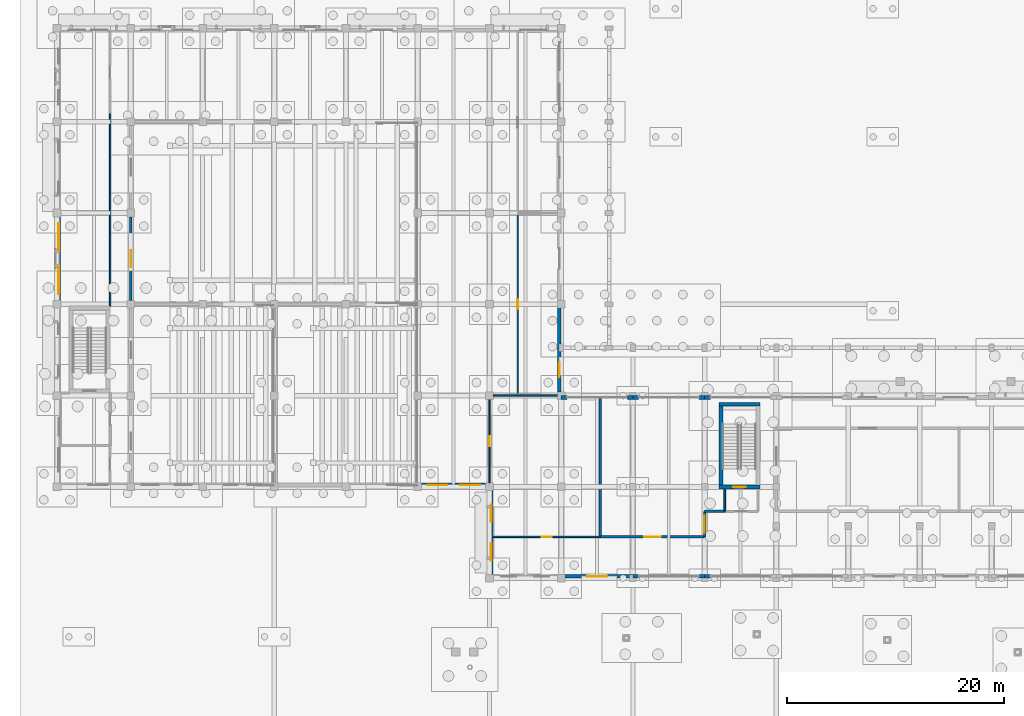
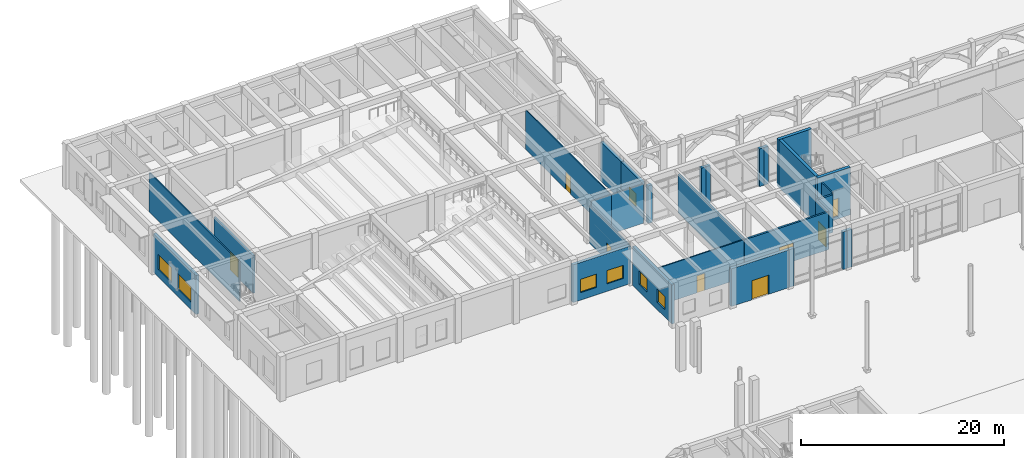
# One storey, part 55 of 82: 29 walls, 8 doors, 7 windows, 15 openings.
"""IFC4 building model written with IfcOpenShell, lengths in metres."""

import ifcopenshell
import ifcopenshell.guid

model = None  # the IFC model being written
_history = None  # IfcOwnerHistory: only IFC2X3 demands one
_inside = {}  # id of a spatial element -> (the spatial element, [elements in it])
_under = {}  # id of a project, library or spatial element -> (it, [spatial elements below it])
_declared = {}  # id of a project -> (the project, [libraries it declares])
_typed = {}  # id of a type object -> (the type object, [elements of that type])
_made_of = {}  # id of a material, layer set ... -> (it, [elements and type objects made of it])


def new_model(schema):
    """Start an empty IFC model of exactly this schema.

    Asked for "IFC4X3", IfcOpenShell would pick the latest addendum, in which some entities
    have other attributes; the version numbers below select the first issue.
    IFC2X3 requires an IfcOwnerHistory on every rooted entity: one is made here for all.
    """
    global model, _history
    if schema == "IFC4X3":
        model = ifcopenshell.file(schema_version=(4, 3, 0, 0))
    else:
        model = ifcopenshell.file(schema=schema)
    _inside.clear()
    _under.clear()
    _declared.clear()
    _typed.clear()
    _made_of.clear()
    _history = None
    if model.schema == "IFC2X3":
        org = make("IfcOrganization", Name="unknown")
        user = make(
            "IfcPersonAndOrganization",
            ThePerson=make("IfcPerson", FamilyName="unknown"),
            TheOrganization=org,
        )
        app = make(
            "IfcApplication",
            ApplicationDeveloper=org,
            Version="unknown",
            ApplicationFullName="unknown",
            ApplicationIdentifier="unknown",
        )
        _history = make(
            "IfcOwnerHistory",
            OwningUser=user,
            OwningApplication=app,
            ChangeAction="ADDED",
            CreationDate=0,
        )
    return model


def make(cls, **values):
    """One entity of the class cls with the attributes given. An attribute that is None is left unset."""
    return model.create_entity(
        cls, **{name: value for name, value in values.items() if value is not None}
    )


def rooted(cls, **values):
    """An entity with a GlobalId (a new one), such as an element, a storey or a relation."""
    return make(cls, GlobalId=ifcopenshell.guid.new(), OwnerHistory=_history, **values)


def si_unit(unit_type, name, prefix=None):
    """IfcSIUnit, for example si_unit("LENGTHUNIT", "METRE", prefix="MILLI")."""
    return make("IfcSIUnit", UnitType=unit_type, Prefix=prefix, Name=name)


def assignment(units):
    """IfcUnitAssignment: the units of a project."""
    return None if units is None else make("IfcUnitAssignment", Units=units)


def point(xyz):
    """IfcCartesianPoint."""
    return None if xyz is None else make("IfcCartesianPoint", Coordinates=xyz)


def direction(xyz):
    """IfcDirection."""
    return None if xyz is None else make("IfcDirection", DirectionRatios=xyz)


def frame(location, z_axis=None, x_axis=None):
    """IfcAxis2Placement3D, a coordinate frame: its origin and axes. An axis left out is left unset."""
    return make(
        "IfcAxis2Placement3D",
        Location=point(location),
        Axis=direction(z_axis),
        RefDirection=direction(x_axis),
    )


def frame_2d(location, x_axis=None):
    """IfcAxis2Placement2D, a coordinate frame in the plane: its origin and x axis."""
    return make(
        "IfcAxis2Placement2D", Location=point(location), RefDirection=direction(x_axis)
    )


def origin():
    """The frame at (0, 0, 0) with its axes left unset."""
    return frame((0.0, 0.0, 0.0))


def place(relative_to, where):
    """IfcLocalPlacement: puts the frame where relative to a parent placement (None: the world)."""
    return make(
        "IfcLocalPlacement", PlacementRelTo=relative_to, RelativePlacement=where
    )


def context(
    kind, dimensions, precision=None, world=None, true_north=None, identifier=None
):
    """IfcGeometricRepresentationContext, for example the 3D "Model" context."""
    return make(
        "IfcGeometricRepresentationContext",
        ContextIdentifier=identifier,
        ContextType=kind,
        CoordinateSpaceDimension=dimensions,
        Precision=precision,
        WorldCoordinateSystem=world,
        TrueNorth=true_north,
    )


def subcontext(parent, identifier, kind, view, scale=None):
    """IfcGeometricRepresentationSubContext, for example "Body" below "Model"."""
    return make(
        "IfcGeometricRepresentationSubContext",
        ContextIdentifier=identifier,
        ContextType=kind,
        ParentContext=parent,
        TargetScale=scale,
        TargetView=view,
    )


def project(units=None, contexts=None):
    """IfcProject with its units and contexts."""
    return rooted(
        "IfcProject",
        Name="project",
        RepresentationContexts=contexts,
        UnitsInContext=assignment(units),
    )


def spatial(cls, under=None, at=None, **own):
    """A site, building, storey or space (cls), placed at a placement, below another one or the project."""
    s = rooted(cls, ObjectPlacement=at, **own)
    if under is not None:
        _under.setdefault(under.id(), (under, []))[1].append(s)
    return s


def profile(cls, at=None, kind="AREA", **sizes):
    """A parametric profile (cls). Its sizes go by their IFC names, for example OverallWidth=200.0."""
    return make(cls, ProfileType=kind, Position=at, **sizes)


def rectangle(**sizes):
    """IfcRectangleProfileDef."""
    return profile("IfcRectangleProfileDef", **sizes)


def extrude(swept, where, along, depth):
    """IfcExtrudedAreaSolid: the profile swept, set in the frame where, extruded along a direction by depth."""
    return make(
        "IfcExtrudedAreaSolid",
        SweptArea=swept,
        Position=where,
        ExtrudedDirection=direction(along),
        Depth=depth,
    )


def shape(context_of_items, identifier, shape_type, items):
    """IfcShapeRepresentation: the items that make up one representation, for example the "Body"."""
    return make(
        "IfcShapeRepresentation",
        ContextOfItems=context_of_items,
        RepresentationIdentifier=identifier,
        RepresentationType=shape_type,
        Items=items,
    )


def material(Name=None, Category=None):
    """IfcMaterial."""
    return make("IfcMaterial", Name=Name, Category=Category)


def layer(
    of_material, thickness, ventilated=None, Name=None, Category=None, Priority=None
):
    """IfcMaterialLayer: one layer of a wall or slab, of a material (None: an air gap)."""
    return make(
        "IfcMaterialLayer",
        Material=of_material,
        LayerThickness=thickness,
        IsVentilated=ventilated,
        Name=Name,
        Category=Category,
        Priority=Priority,
    )


def layer_set(layers, Name=None):
    """IfcMaterialLayerSet."""
    return make("IfcMaterialLayerSet", MaterialLayers=layers, LayerSetName=Name)


def made_of(thing, what):
    """Note that an element or type object is made of a material, layer set ...; save() writes the relation."""
    if what is not None:
        _made_of.setdefault(what.id(), (what, []))[1].append(thing)
    return thing


def type_object(cls, material=None, **own):
    """A type object (cls), such as IfcWallType, which elements share."""
    return made_of(rooted(cls, **own), material)


def element(
    cls,
    number,
    at=None,
    inside=None,
    cuts=None,
    type_object=None,
    material=None,
    context=None,
    identifier="Body",
    shape_type=None,
    held_by="IfcProductDefinitionShape",
    body=None,
    shapes=None,
    **own,
):
    """One element of the class cls, such as IfcWall. Its Tag is "e" and its number.

    at: its placement. inside: the storey or other place that contains it. cuts: it is an
    opening in that element (IfcRelVoidsElement). A single representation is given by context,
    identifier, shape_type and body (its items); several are given by shapes. held_by: the class
    of the entity that holds the representations. save() writes the other relations.
    """
    e = rooted(cls, Tag="e%d" % number, ObjectPlacement=at, **own)
    if body is not None:
        shapes = [shape(context, identifier, shape_type, body)]
    if shapes is not None:
        e.Representation = make(held_by, Representations=shapes)
    if inside is not None:
        _inside.setdefault(inside.id(), (inside, []))[1].append(e)
    if cuts is not None:
        rooted(
            "IfcRelVoidsElement", RelatingBuildingElement=cuts, RelatedOpeningElement=e
        )
    if type_object is not None:
        _typed.setdefault(type_object.id(), (type_object, []))[1].append(e)
    return made_of(e, material)


def fill(opening, filler):
    """IfcRelFillsElement: the door or window that sits in an opening."""
    return rooted(
        "IfcRelFillsElement",
        RelatingOpeningElement=opening,
        RelatedBuildingElement=filler,
    )


def aggregate(whole, parts):
    """IfcRelAggregates: a whole, such as a stair, and the parts it consists of."""
    return rooted("IfcRelAggregates", RelatingObject=whole, RelatedObjects=parts)


def save(model, path):
    """Write the relations noted so far, then the file.

    IfcRelAggregates (storeys below a building ...), IfcRelContainedInSpatialStructure (elements
    in a storey), IfcRelDefinesByType, IfcRelAssociatesMaterial and IfcRelDeclares: one each for
    every whole, place, type object, material and project.
    """
    for whole, parts in _under.values():
        aggregate(whole, parts)
    for where, things in _inside.values():
        rooted(
            "IfcRelContainedInSpatialStructure",
            RelatedElements=things,
            RelatingStructure=where,
        )
    for kind, things in _typed.values():
        rooted("IfcRelDefinesByType", RelatedObjects=things, RelatingType=kind)
    for what, things in _made_of.values():
        rooted("IfcRelAssociatesMaterial", RelatedObjects=things, RelatingMaterial=what)
    for by, libraries in _declared.values():
        rooted("IfcRelDeclares", RelatingContext=by, RelatedDefinitions=libraries)
    model.write(path)


model = new_model("IFC4")

# Units and contexts
model_context = context("Model", 3, precision=1e-05, world=origin(), true_north=direction((0.0, 1.0)))
body_context = subcontext(model_context, "Body", "Model", "MODEL_VIEW")
ifc_project = project(units=[si_unit("LENGTHUNIT", "METRE"), si_unit("AREAUNIT", "SQUARE_METRE"), si_unit("VOLUMEUNIT", "CUBIC_METRE"), si_unit("PLANEANGLEUNIT", "RADIAN"), si_unit("MASSUNIT", "GRAM", prefix="KILO")], contexts=[model_context])

# Site, building, storey
site_placement = place(None, origin())
site = spatial("IfcSite", under=ifc_project, at=site_placement, CompositionType="ELEMENT")
building_placement = place(site_placement, origin())
building = spatial("IfcBuilding", under=site, at=building_placement, Name="Kolvaren Faculty of Natural Sciences", CompositionType="ELEMENT")
storey_placement = place(building_placement, origin())
storey = spatial("IfcBuildingStorey", under=building, at=storey_placement, Name="L00", CompositionType="ELEMENT", Elevation=0.0)

# Wall, opening, door
ifc_material_1 = material(Name="Autoclaved aerated fire-rated masonry blockwork", Category="masonry")
ifc_layer_1 = layer(ifc_material_1, 0.2099609375)
ifc_layer_set_1 = layer_set([ifc_layer_1], Name="Autoclaved aerated fire-rated masonry blockwork")
wall_type_1 = type_object("IfcWallType", Name="AcousticLectureWall_210", PredefinedType="PARTITIONING", material=ifc_layer_set_1)
wall_1_placement = place(storey_placement, frame((6.800048828125, 92.949951171875, 0.0), z_axis=(0.0, 0.0, 1.0), x_axis=(0.0, 1.0, 0.0)))
wall_1 = element("IfcWall", 1, at=wall_1_placement, inside=storey, type_object=wall_type_1, Name="L00 interior partition PW-210", PredefinedType="PARTITIONING", context=body_context, shape_type="SweptSolid", body=[
    extrude(rectangle(XDim=7.699951171875, YDim=0.2099609375, at=frame_2d((3.85009765625, 0.0))), origin(), (0.0, 0.0, 1.0), 4.534912109375),
])
opening_1_placement = place(wall_1_placement, frame((3.074951171875, 0.0, 0.0)))
opening_1 = element("IfcOpeningElement", 2, at=opening_1_placement, cuts=wall_1, Name="Opening FD30-D", PredefinedType="OPENING", context=body_context, shape_type="SweptSolid", body=[
    extrude(rectangle(XDim=1.550048828125, YDim=2.199951171875, at=frame_2d((0.77490234375, 1.10009765625))), frame((0.0, 0.114990234375, 0.0), z_axis=(0.0, -1.0, 0.0), x_axis=(1.0, 0.0, 0.0)), (0.0, 0.0, 1.0), 0.22998046875),
])
ifc_material_2 = material(Name="Fire-rated solid-core hardwood door leaf in steel frame", Category="steel")
door_type_1 = type_object("IfcDoorType", Name="AssemblyDoubleFireDoor_1550x2200", OperationType="DOUBLE_DOOR_SINGLE_SWING", PredefinedType="DOOR", material=ifc_material_2)
door_1_placement = place(opening_1_placement, origin())
door_1 = element("IfcDoor", 3, at=door_1_placement, inside=storey, type_object=door_type_1, Name="D-L00-0039", OperationType="DOUBLE_DOOR_SINGLE_SWING", OverallHeight=2.199951171875, OverallWidth=1.550048828125, PredefinedType="DOOR", context=body_context, shape_type="SweptSolid", body=[
    extrude(rectangle(XDim=1.550048828125, YDim=2.199951171875, at=frame_2d((0.77490234375, 1.10009765625))), frame((0.0, 0.02490234375, 0.0), z_axis=(0.0, -1.0, 0.0), x_axis=(1.0, 0.0, 0.0)), (0.0, 0.0, 1.0), 0.050048828125),
])
fill(opening_1, door_1)

# Wall
wall_2_placement = place(storey_placement, frame((61.449951171875, 73.550048828125, 0.0), z_axis=(0.0, 0.0, 1.0), x_axis=(-1.0, 0.0, 0.0)))
element("IfcWall", 4, at=wall_2_placement, inside=storey, type_object=wall_type_1, Name="L00 interior partition PW-210", PredefinedType="PARTITIONING", context=body_context, shape_type="SweptSolid", body=[
    extrude(rectangle(XDim=1.849853515625, YDim=0.2099609375, at=frame_2d((0.9248046875, 0.0))), origin(), (0.0, 0.0, 1.0), 4.534912109375),
])

# Wall, opening, door
wall_3_placement = place(storey_placement, frame((59.60009765625, 73.550048828125, 0.0), z_axis=(0.0, 0.0, 1.0), x_axis=(0.0, -1.0, 0.0)))
wall_3 = element("IfcWall", 5, at=wall_3_placement, inside=storey, type_object=wall_type_1, Name="L00 interior partition PW-210", PredefinedType="PARTITIONING", context=body_context, shape_type="SweptSolid", body=[
    extrude(rectangle(XDim=2.35009765625, YDim=0.2099609375, at=frame_2d((1.175048828125, 0.0))), origin(), (0.0, 0.0, 1.0), 4.534912109375),
])
opening_2_placement = place(wall_3_placement, frame((0.39990234375, 0.0, 0.0)))
opening_2 = element("IfcOpeningElement", 6, at=opening_2_placement, cuts=wall_3, Name="Opening FD30-D", PredefinedType="OPENING", context=body_context, shape_type="SweptSolid", body=[
    extrude(rectangle(XDim=1.550048828125, YDim=2.199951171875, at=frame_2d((0.77490234375, 1.10009765625))), frame((0.0, 0.114990234375, 0.0), z_axis=(0.0, -1.0, 0.0), x_axis=(1.0, 0.0, 0.0)), (0.0, 0.0, 1.0), 0.22998046875),
])
door_2_placement = place(opening_2_placement, origin())
door_2 = element("IfcDoor", 7, at=door_2_placement, inside=storey, type_object=door_type_1, Name="D-L00-0043", OperationType="DOUBLE_DOOR_SINGLE_SWING", OverallHeight=2.199951171875, OverallWidth=1.550048828125, PredefinedType="DOOR", context=body_context, shape_type="SweptSolid", body=[
    extrude(rectangle(XDim=1.550048828125, YDim=2.199951171875, at=frame_2d((0.77490234375, 1.10009765625))), frame((0.0, 0.02490234375, 0.0), z_axis=(0.0, -1.0, 0.0), x_axis=(1.0, 0.0, 0.0)), (0.0, 0.0, 1.0), 0.050048828125),
])
fill(opening_2, door_2)

wall_4_placement = place(storey_placement, frame((59.60009765625, 71.199951171875, 0.0), z_axis=(0.0, 0.0, 1.0), x_axis=(-1.0, 0.0, 0.0)))
wall_4 = element("IfcWall", 8, at=wall_4_placement, inside=storey, type_object=wall_type_1, Name="L00 interior partition PW-210", PredefinedType="PARTITIONING", context=body_context, shape_type="SweptSolid", body=[
    extrude(rectangle(XDim=9.60009765625, YDim=0.2099609375, at=frame_2d((4.800048828125, 0.0))), origin(), (0.0, 0.0, 1.0), 4.534912109375),
])
opening_3_placement = place(wall_4_placement, frame((4.02490234375, 0.0, 0.0)))
opening_3 = element("IfcOpeningElement", 9, at=opening_3_placement, cuts=wall_4, Name="Opening FD30-D", PredefinedType="OPENING", context=body_context, shape_type="SweptSolid", body=[
    extrude(rectangle(XDim=1.550048828125, YDim=2.199951171875, at=frame_2d((0.77490234375, 1.10009765625))), frame((0.0, 0.114990234375, 0.0), z_axis=(0.0, -1.0, 0.0), x_axis=(1.0, 0.0, 0.0)), (0.0, 0.0, 1.0), 0.22998046875),
])
door_3_placement = place(opening_3_placement, origin())
door_3 = element("IfcDoor", 10, at=door_3_placement, inside=storey, type_object=door_type_1, Name="D-L00-0042", OperationType="DOUBLE_DOOR_SINGLE_SWING", OverallHeight=2.199951171875, OverallWidth=1.550048828125, PredefinedType="DOOR", context=body_context, shape_type="SweptSolid", body=[
    extrude(rectangle(XDim=1.550048828125, YDim=2.199951171875, at=frame_2d((0.77490234375, 1.10009765625))), frame((0.0, 0.02490234375, 0.0), z_axis=(0.0, -1.0, 0.0), x_axis=(1.0, 0.0, 0.0)), (0.0, 0.0, 1.0), 0.050048828125),
])
fill(opening_3, door_3)

# Walls
wall_5_placement = place(storey_placement, frame((50.0, 71.199951171875, 0.0), z_axis=(0.0, 0.0, 1.0), x_axis=(0.0, 1.0, 0.0)))
element("IfcWall", 11, at=wall_5_placement, inside=storey, type_object=wall_type_1, Name="L00 interior partition PW-210", PredefinedType="PARTITIONING", context=body_context, shape_type="SweptSolid", body=[
    extrude(rectangle(XDim=12.780029296875, YDim=0.2099609375, at=frame_2d((6.39013671875, 0.0))), origin(), (0.0, 0.0, 1.0), 4.68505859375),
])
ifc_material_3 = material(Name="Acoustic mineral-wool insulated gypsum partition")
ifc_layer_2 = layer(ifc_material_3, 0.139892578125)
ifc_layer_set_2 = layer_set([ifc_layer_2], Name="Acoustic mineral-wool insulated gypsum partition")
wall_type_2 = type_object("IfcWallType", Name="CommonsPartitionWall_140", PredefinedType="PARTITIONING", material=ifc_layer_set_2)
wall_6_placement = place(storey_placement, frame((4.89990234375, 110.199951171875, 0.0), z_axis=(0.0, 0.0, 1.0), x_axis=(0.0, -1.0, 0.0)))
element("IfcWall", 12, at=wall_6_placement, inside=storey, type_object=wall_type_2, Name="L00 interior partition PW-140", PredefinedType="PARTITIONING", context=body_context, shape_type="SweptSolid", body=[
    extrude(rectangle(XDim=17.800048828125, YDim=0.139892578125, at=frame_2d((8.89990234375, 0.0))), origin(), (0.0, 0.0, 1.0), 4.735107421875),
])

# Wall, opening, door
ifc_material_4 = material(Name="Concrete C40/50", Category="concrete")
ifc_layer_3 = layer(ifc_material_4, 0.35009765625)
ifc_layer_set_3 = layer_set([ifc_layer_3], Name="Concrete C40/50")
wall_type_3 = type_object("IfcWallType", Name="CoreShearWall_350", PredefinedType="SHEAR", material=ifc_layer_set_3)
wall_7_placement = place(storey_placement, frame((64.675048828125, 75.77490234375, -0.320068359375), z_axis=(0.0, 0.0, 1.0), x_axis=(-1.0, 0.0, 0.0)))
wall_7 = element("IfcWall", 13, at=wall_7_placement, inside=storey, type_object=wall_type_3, Name="L00 CORE-C6 stair shear wall S", PredefinedType="SHEAR", context=body_context, shape_type="SweptSolid", body=[
    extrude(rectangle(XDim=3.75, YDim=0.35009765625, at=frame_2d((1.875, 0.0))), origin(), (0.0, 0.0, 1.0), 5.719970703125),
])
opening_4_placement = place(wall_7_placement, frame((1.300048828125, 0.0, 0.320068359375)))
opening_4 = element("IfcOpeningElement", 14, at=opening_4_placement, cuts=wall_7, Name="Opening FD90", PredefinedType="OPENING", context=body_context, shape_type="SweptSolid", body=[
    extrude(rectangle(XDim=1.14990234375, YDim=2.14990234375, at=frame_2d((0.574951171875, 1.074951171875))), frame((0.0, 0.18505859375, 0.0), z_axis=(0.0, -1.0, 0.0), x_axis=(1.0, 0.0, 0.0)), (0.0, 0.0, 1.0), 0.3701171875),
])
door_type_2 = type_object("IfcDoorType", Name="StairCoreFireDoor_1150x2150", OperationType="NOTDEFINED", PredefinedType="DOOR", material=ifc_material_2)
door_4_placement = place(opening_4_placement, origin())
door_4 = element("IfcDoor", 15, at=door_4_placement, inside=storey, type_object=door_type_2, Name="D-ST-ST-6-L00", OperationType="SINGLE_SWING_RIGHT", OverallHeight=2.14990234375, OverallWidth=1.14990234375, PredefinedType="DOOR", context=body_context, shape_type="SweptSolid", body=[
    extrude(rectangle(XDim=1.14990234375, YDim=2.14990234375, at=frame_2d((0.574951171875, 1.074951171875))), frame((0.0, 0.02490234375, 0.0), z_axis=(0.0, -1.0, 0.0), x_axis=(1.0, 0.0, 0.0)), (0.0, 0.0, 1.0), 0.050048828125),
])
fill(opening_4, door_4)

# Walls
wall_8_placement = place(storey_placement, frame((60.925048828125, 83.39990234375, -0.320068359375), z_axis=(0.0, 0.0, 1.0), x_axis=(1.0, 0.0, 0.0)))
element("IfcWall", 16, at=wall_8_placement, inside=storey, type_object=wall_type_3, Name="L00 CORE-C6 stair shear wall N", PredefinedType="SHEAR", context=body_context, shape_type="SweptSolid", body=[
    extrude(rectangle(XDim=3.75, YDim=0.35009765625, at=frame_2d((1.875, 0.0))), origin(), (0.0, 0.0, 1.0), 5.719970703125),
])
wall_9_placement = place(storey_placement, frame((61.10009765625, 75.949951171875, -0.320068359375), z_axis=(0.0, 0.0, 1.0), x_axis=(0.0, 1.0, 0.0)))
element("IfcWall", 17, at=wall_9_placement, inside=storey, type_object=wall_type_3, Name="L00 CORE-C6 stair shear wall W", PredefinedType="SHEAR", context=body_context, shape_type="SweptSolid", body=[
    extrude(rectangle(XDim=7.275146484375, YDim=0.35009765625, at=frame_2d((3.6376953125, 0.0))), origin(), (0.0, 0.0, 1.0), 5.719970703125),
])
ifc_material_5 = material(Name="Sandstone-faced insulated cavity masonry", Category="masonry")
ifc_layer_4 = layer(ifc_material_5, 0.340087890625)
ifc_layer_set_4 = layer_set([ifc_layer_4], Name="Sandstone-faced insulated cavity masonry")
wall_type_4 = type_object("IfcWallType", Name="ExteriorCavityWall_340", PredefinedType="STANDARD", material=ifc_layer_set_4)
for number, where, z_axis, x_axis, name in (
    (18, (60.1201171875, 67.570068359375, 0.0), (0.0, 0.0, 1.0), (-1.0, 0.0, 0.0), "L00 curtain-wall pier stub 41"),
    (19, (59.60009765625, 67.570068359375, 0.0), (0.0, 0.0, 1.0), (-1.0, 0.0, 0.0), "L00 curtain-wall pier stub 42"),
    (20, (53.52001953125, 67.570068359375, 0.0), (0.0, 0.0, 1.0), (-1.0, 0.0, 0.0), "L00 curtain-wall pier stub 43"),
):
    element("IfcWall", number, at=place(storey_placement, frame(where, z_axis=z_axis, x_axis=x_axis)), inside=storey, type_object=wall_type_4, Name=name, PredefinedType="STANDARD", context=body_context, shape_type="SweptSolid", body=[
        extrude(rectangle(XDim=0.52001953125, YDim=0.340087890625, at=frame_2d((0.260009765625, 0.0))), origin(), (0.0, 0.0, 1.0), 4.534912109375),
    ])

# Wall, opening, door
wall_10_placement = place(storey_placement, frame((53.0, 67.570068359375, 0.0), z_axis=(0.0, 0.0, 1.0), x_axis=(-1.0, 0.0, 0.0)))
wall_10 = element("IfcWall", 21, at=wall_10_placement, inside=storey, type_object=wall_type_4, Name="L00 exterior masonry wall EW-340 (44)", PredefinedType="STANDARD", context=body_context, shape_type="SweptSolid", body=[
    extrude(rectangle(XDim=6.60009765625, YDim=0.340087890625, at=frame_2d((3.300048828125, 0.0))), origin(), (0.0, 0.0, 1.0), 4.534912109375),
])
opening_5_placement = place(wall_10_placement, frame((2.35009765625, 0.0, 0.0)))
opening_5 = element("IfcOpeningElement", 22, at=opening_5_placement, cuts=wall_10, Name="Opening ED-02", PredefinedType="OPENING", context=body_context, shape_type="SweptSolid", body=[
    extrude(rectangle(XDim=1.89990234375, YDim=2.300048828125, at=frame_2d((0.949951171875, 1.14990234375))), frame((0.0, 0.179931640625, 0.0), z_axis=(0.0, -1.0, 0.0), x_axis=(1.0, 0.0, 0.0)), (0.0, 0.0, 1.0), 0.360107421875),
])
ifc_material_6 = material(Name="Thermally broken anodised aluminium framing", Category="aluminium")
door_type_3 = type_object("IfcDoorType", Name="PlazaExitDoubleDoor_1900x2300", OperationType="DOUBLE_DOOR_SINGLE_SWING", PredefinedType="DOOR", material=ifc_material_6)
door_5_placement = place(opening_5_placement, origin())
door_5 = element("IfcDoor", 23, at=door_5_placement, inside=storey, type_object=door_type_3, Name="D-L00-EX-08", OperationType="DOUBLE_DOOR_SINGLE_SWING", OverallHeight=2.300048828125, OverallWidth=1.89990234375, PredefinedType="DOOR", context=body_context, shape_type="SweptSolid", body=[
    extrude(rectangle(XDim=1.89990234375, YDim=2.300048828125, at=frame_2d((0.949951171875, 1.14990234375))), frame((0.0, 0.02490234375, 0.0), z_axis=(0.0, -1.0, 0.0), x_axis=(1.0, 0.0, 0.0)), (0.0, 0.0, 1.0), 0.050048828125),
])
fill(opening_5, door_5)

# Wall, openings, windows
wall_11_placement = place(storey_placement, frame((39.969970703125, 67.739990234375, 0.0), z_axis=(0.0, 0.0, 1.0), x_axis=(0.0, 1.0, 0.0)))
wall_11 = element("IfcWall", 24, at=wall_11_placement, inside=storey, type_object=wall_type_4, Name="L00 exterior masonry wall EW-340 (46)", PredefinedType="STANDARD", context=body_context, shape_type="SweptSolid", body=[
    extrude(rectangle(XDim=7.719970703125, YDim=0.340087890625, at=frame_2d((3.85986328125, 0.0))), origin(), (0.0, 0.0, 1.0), 4.68505859375),
])
opening_6_placement = place(wall_11_placement, frame((1.284423828125, 0.0, 0.89990234375)))
opening_6 = element("IfcOpeningElement", 25, at=opening_6_placement, cuts=wall_11, Name="Opening WIN-15", PredefinedType="OPENING", context=body_context, shape_type="SweptSolid", body=[
    extrude(rectangle(XDim=1.60009765625, YDim=1.60009765625, at=frame_2d((0.800048828125, 0.800048828125))), frame((0.0, 0.179931640625, 0.0), z_axis=(0.0, -1.0, 0.0), x_axis=(1.0, 0.0, 0.0)), (0.0, 0.0, 1.0), 0.360107421875),
])
opening_7_placement = place(wall_11_placement, frame((4.835693359375, 0.0, 0.89990234375)))
opening_7 = element("IfcOpeningElement", 26, at=opening_7_placement, cuts=wall_11, Name="Opening WIN-15", PredefinedType="OPENING", context=body_context, shape_type="SweptSolid", body=[
    extrude(rectangle(XDim=1.60009765625, YDim=1.60009765625, at=frame_2d((0.800048828125, 0.800048828125))), frame((0.0, 0.179931640625, 0.0), z_axis=(0.0, -1.0, 0.0), x_axis=(1.0, 0.0, 0.0)), (0.0, 0.0, 1.0), 0.360107421875),
])
ifc_material_7 = material(Name="Double low-E solar control insulated glazing", Category="glass")
window_type_1 = type_object("IfcWindowType", Name="AluWindow_WIN15_1600x1600", PartitioningType="SINGLE_PANEL", PredefinedType="WINDOW", material=ifc_material_7)
window_1_placement = place(opening_6_placement, origin())
window_1 = element("IfcWindow", 27, at=window_1_placement, inside=storey, type_object=window_type_1, Name="WIN-L00-0046", OverallHeight=1.60009765625, OverallWidth=1.60009765625, PartitioningType="SINGLE_PANEL", PredefinedType="WINDOW", context=body_context, shape_type="SweptSolid", body=[
    extrude(rectangle(XDim=1.60009765625, YDim=1.60009765625, at=frame_2d((0.800048828125, 0.800048828125))), frame((0.0, 0.030029296875, 0.0), z_axis=(0.0, -1.0, 0.0), x_axis=(1.0, 0.0, 0.0)), (0.0, 0.0, 1.0), 0.06005859375),
])
fill(opening_6, window_1)
window_2_placement = place(opening_7_placement, origin())
window_2 = element("IfcWindow", 28, at=window_2_placement, inside=storey, type_object=window_type_1, Name="WIN-L00-0047", OverallHeight=1.60009765625, OverallWidth=1.60009765625, PartitioningType="SINGLE_PANEL", PredefinedType="WINDOW", context=body_context, shape_type="SweptSolid", body=[
    extrude(rectangle(XDim=1.60009765625, YDim=1.60009765625, at=frame_2d((0.800048828125, 0.800048828125))), frame((0.0, 0.030029296875, 0.0), z_axis=(0.0, -1.0, 0.0), x_axis=(1.0, 0.0, 0.0)), (0.0, 0.0, 1.0), 0.06005859375),
])
fill(opening_7, window_2)

wall_12_placement = place(storey_placement, frame((39.800048828125, 75.969970703125, 0.0), z_axis=(0.0, 0.0, 1.0), x_axis=(-1.0, 0.0, 0.0)))
wall_12 = element("IfcWall", 29, at=wall_12_placement, inside=storey, type_object=wall_type_4, Name="L00 exterior masonry wall EW-340 (47)", PredefinedType="STANDARD", context=body_context, shape_type="SweptSolid", body=[
    extrude(rectangle(XDim=6.60009765625, YDim=0.340087890625, at=frame_2d((3.300048828125, 0.0))), origin(), (0.0, 0.0, 1.0), 4.534912109375),
])
opening_8_placement = place(wall_12_placement, frame((0.85693359375, 0.0, 0.89990234375)))
opening_8 = element("IfcOpeningElement", 30, at=opening_8_placement, cuts=wall_12, Name="Opening WIN-16", PredefinedType="OPENING", context=body_context, shape_type="SweptSolid", body=[
    extrude(rectangle(XDim=1.85009765625, YDim=1.60009765625, at=frame_2d((0.925048828125, 0.800048828125))), frame((0.0, 0.179931640625, 0.0), z_axis=(0.0, -1.0, 0.0), x_axis=(1.0, 0.0, 0.0)), (0.0, 0.0, 1.0), 0.360107421875),
])
opening_9_placement = place(wall_12_placement, frame((3.89306640625, 0.0, 0.89990234375)))
opening_9 = element("IfcOpeningElement", 31, at=opening_9_placement, cuts=wall_12, Name="Opening WIN-16", PredefinedType="OPENING", context=body_context, shape_type="SweptSolid", body=[
    extrude(rectangle(XDim=1.85009765625, YDim=1.60009765625, at=frame_2d((0.925048828125, 0.800048828125))), frame((0.0, 0.179931640625, 0.0), z_axis=(0.0, -1.0, 0.0), x_axis=(1.0, 0.0, 0.0)), (0.0, 0.0, 1.0), 0.360107421875),
])
window_type_2 = type_object("IfcWindowType", Name="AluWindow_WIN16_1850x1600", PartitioningType="SINGLE_PANEL", PredefinedType="WINDOW", material=ifc_material_7)
window_3_placement = place(opening_8_placement, origin())
window_3 = element("IfcWindow", 32, at=window_3_placement, inside=storey, type_object=window_type_2, Name="WIN-L00-0048", OverallHeight=1.60009765625, OverallWidth=1.85009765625, PartitioningType="SINGLE_PANEL", PredefinedType="WINDOW", context=body_context, shape_type="SweptSolid", body=[
    extrude(rectangle(XDim=1.85009765625, YDim=1.60009765625, at=frame_2d((0.925048828125, 0.800048828125))), frame((0.0, 0.030029296875, 0.0), z_axis=(0.0, -1.0, 0.0), x_axis=(1.0, 0.0, 0.0)), (0.0, 0.0, 1.0), 0.06005859375),
])
fill(opening_8, window_3)
window_4_placement = place(opening_9_placement, origin())
window_4 = element("IfcWindow", 33, at=window_4_placement, inside=storey, type_object=window_type_2, Name="WIN-L00-0049", OverallHeight=1.60009765625, OverallWidth=1.85009765625, PartitioningType="SINGLE_PANEL", PredefinedType="WINDOW", context=body_context, shape_type="SweptSolid", body=[
    extrude(rectangle(XDim=1.85009765625, YDim=1.60009765625, at=frame_2d((0.925048828125, 0.800048828125))), frame((0.0, 0.030029296875, 0.0), z_axis=(0.0, -1.0, 0.0), x_axis=(1.0, 0.0, 0.0)), (0.0, 0.0, 1.0), 0.06005859375),
])
fill(opening_9, window_4)

wall_13_placement = place(storey_placement, frame((0.169921875, 92.60009765625, 0.0), z_axis=(0.0, 0.0, 1.0), x_axis=(0.0, 1.0, 0.0)))
wall_13 = element("IfcWall", 34, at=wall_13_placement, inside=storey, type_object=wall_type_4, Name="L00 exterior masonry wall EW-340 (55)", PredefinedType="STANDARD", context=body_context, shape_type="SweptSolid", body=[
    extrude(rectangle(XDim=8.39990234375, YDim=0.340087890625, at=frame_2d((4.199951171875, 0.0))), origin(), (0.0, 0.0, 1.0), 4.68505859375),
])
opening_10_placement = place(wall_13_placement, frame((0.943115234375, 0.0, 0.89990234375)))
opening_10 = element("IfcOpeningElement", 35, at=opening_10_placement, cuts=wall_13, Name="Opening WIN-24", PredefinedType="OPENING", context=body_context, shape_type="SweptSolid", body=[
    extrude(rectangle(XDim=2.64990234375, YDim=1.85009765625, at=frame_2d((1.324951171875, 0.925048828125))), frame((0.0, 0.179931640625, 0.0), z_axis=(0.0, -1.0, 0.0), x_axis=(1.0, 0.0, 0.0)), (0.0, 0.0, 1.0), 0.360107421875),
])
opening_11_placement = place(wall_13_placement, frame((4.806884765625, 0.0, 0.89990234375)))
opening_11 = element("IfcOpeningElement", 36, at=opening_11_placement, cuts=wall_13, Name="Opening WIN-24", PredefinedType="OPENING", context=body_context, shape_type="SweptSolid", body=[
    extrude(rectangle(XDim=2.64990234375, YDim=1.85009765625, at=frame_2d((1.324951171875, 0.925048828125))), frame((0.0, 0.179931640625, 0.0), z_axis=(0.0, -1.0, 0.0), x_axis=(1.0, 0.0, 0.0)), (0.0, 0.0, 1.0), 0.360107421875),
])
window_type_3 = type_object("IfcWindowType", Name="AluWindow_WIN24_2650x1850", PartitioningType="SINGLE_PANEL", PredefinedType="WINDOW", material=ifc_material_7)
window_5_placement = place(opening_10_placement, origin())
window_5 = element("IfcWindow", 37, at=window_5_placement, inside=storey, type_object=window_type_3, Name="WIN-L00-0059", OverallHeight=1.85009765625, OverallWidth=2.64990234375, PartitioningType="SINGLE_PANEL", PredefinedType="WINDOW", context=body_context, shape_type="SweptSolid", body=[
    extrude(rectangle(XDim=2.64990234375, YDim=1.85009765625, at=frame_2d((1.324951171875, 0.925048828125))), frame((0.0, 0.030029296875, 0.0), z_axis=(0.0, -1.0, 0.0), x_axis=(1.0, 0.0, 0.0)), (0.0, 0.0, 1.0), 0.06005859375),
])
fill(opening_10, window_5)
window_6_placement = place(opening_11_placement, origin())
window_6 = element("IfcWindow", 38, at=window_6_placement, inside=storey, type_object=window_type_3, Name="WIN-L00-0060", OverallHeight=1.85009765625, OverallWidth=2.64990234375, PartitioningType="SINGLE_PANEL", PredefinedType="WINDOW", context=body_context, shape_type="SweptSolid", body=[
    extrude(rectangle(XDim=2.64990234375, YDim=1.85009765625, at=frame_2d((1.324951171875, 0.925048828125))), frame((0.0, 0.030029296875, 0.0), z_axis=(0.0, -1.0, 0.0), x_axis=(1.0, 0.0, 0.0)), (0.0, 0.0, 1.0), 0.06005859375),
])
fill(opening_11, window_6)

# Wall
wall_14_placement = place(storey_placement, frame((46.22998046875, 92.60009765625, 0.0), z_axis=(0.0, 0.0, 1.0), x_axis=(0.0, -1.0, 0.0)))
element("IfcWall", 39, at=wall_14_placement, inside=storey, type_object=wall_type_4, Name="L00 exterior masonry wall EW-340 (68)", PredefinedType="STANDARD", context=body_context, shape_type="SweptSolid", body=[
    extrude(rectangle(XDim=4.0, YDim=0.340087890625, at=frame_2d((2.0, 0.0))), origin(), (0.0, 0.0, 1.0), 4.68505859375),
])

# Wall, opening, window
wall_15_placement = place(storey_placement, frame((46.22998046875, 88.60009765625, 0.0), z_axis=(0.0, 0.0, 1.0), x_axis=(0.0, -1.0, 0.0)))
wall_15 = element("IfcWall", 40, at=wall_15_placement, inside=storey, type_object=wall_type_4, Name="L00 exterior masonry wall EW-340 (69)", PredefinedType="STANDARD", context=body_context, shape_type="SweptSolid", body=[
    extrude(rectangle(XDim=4.06005859375, YDim=0.340087890625, at=frame_2d((2.030029296875, 0.0))), origin(), (0.0, 0.0, 1.0), 4.68505859375),
])
opening_12_placement = place(wall_15_placement, frame((1.330078125, 0.0, 0.89990234375)))
opening_12 = element("IfcOpeningElement", 41, at=opening_12_placement, cuts=wall_15, Name="Opening WIN-14", PredefinedType="OPENING", context=body_context, shape_type="SweptSolid", body=[
    extrude(rectangle(XDim=1.39990234375, YDim=1.550048828125, at=frame_2d((0.699951171875, 0.77490234375))), frame((0.0, 0.179931640625, 0.0), z_axis=(0.0, -1.0, 0.0), x_axis=(1.0, 0.0, 0.0)), (0.0, 0.0, 1.0), 0.360107421875),
])
window_type_4 = type_object("IfcWindowType", Name="AluWindow_WIN14_1400x1550", PartitioningType="SINGLE_PANEL", PredefinedType="WINDOW", material=ifc_material_7)
window_7_placement = place(opening_12_placement, origin())
window_7 = element("IfcWindow", 42, at=window_7_placement, inside=storey, type_object=window_type_4, Name="WIN-L00-0074", OverallHeight=1.550048828125, OverallWidth=1.39990234375, PartitioningType="SINGLE_PANEL", PredefinedType="WINDOW", context=body_context, shape_type="SweptSolid", body=[
    extrude(rectangle(XDim=1.39990234375, YDim=1.550048828125, at=frame_2d((0.699951171875, 0.77490234375))), frame((0.0, 0.030029296875, 0.0), z_axis=(0.0, -1.0, 0.0), x_axis=(1.0, 0.0, 0.0)), (0.0, 0.0, 1.0), 0.06005859375),
])
fill(opening_12, window_7)

# Walls
for number, where, z_axis, x_axis, name in (
    (43, (46.39990234375, 84.030029296875, 0.0), (0.0, 0.0, 1.0), (1.0, 0.0, 0.0), "L00 curtain-wall pier stub 70"),
    (44, (52.47998046875, 84.030029296875, 0.0), (0.0, 0.0, 1.0), (1.0, 0.0, 0.0), "L00 curtain-wall pier stub 71"),
    (45, (53.0, 84.030029296875, 0.0), (0.0, 0.0, 1.0), (1.0, 0.0, 0.0), "L00 curtain-wall pier stub 72"),
    (46, (59.080078125, 84.030029296875, 0.0), (0.0, 0.0, 1.0), (1.0, 0.0, 0.0), "L00 curtain-wall pier stub 73"),
    (47, (59.60009765625, 84.030029296875, 0.0), (0.0, 0.0, 1.0), (1.0, 0.0, 0.0), "L00 curtain-wall pier stub 74"),
):
    element("IfcWall", number, at=place(storey_placement, frame(where, z_axis=z_axis, x_axis=x_axis)), inside=storey, type_object=wall_type_4, Name=name, PredefinedType="STANDARD", context=body_context, shape_type="SweptSolid", body=[
        extrude(rectangle(XDim=0.52001953125, YDim=0.340087890625, at=frame_2d((0.260009765625, 0.0))), origin(), (0.0, 0.0, 1.0), 4.534912109375),
    ])

# Wall, opening, door
ifc_layer_5 = layer(ifc_material_3, 0.1298828125)
ifc_layer_set_5 = layer_set([ifc_layer_5], Name="Acoustic mineral-wool insulated gypsum partition")
wall_type_5 = type_object("IfcWallType", Name="OfficePartitionWall_130", PredefinedType="PARTITIONING", material=ifc_layer_set_5)
wall_16_placement = place(storey_placement, frame((39.800048828125, 76.14990234375, 0.0), z_axis=(0.0, 0.0, 1.0), x_axis=(0.0, 1.0, 0.0)))
wall_16 = element("IfcWall", 48, at=wall_16_placement, inside=storey, type_object=wall_type_5, Name="L00 interior partition PW-130", PredefinedType="PARTITIONING", context=body_context, shape_type="SweptSolid", body=[
    extrude(rectangle(XDim=7.7001953125, YDim=0.1298828125, at=frame_2d((3.85009765625, 0.0))), origin(), (0.0, 0.0, 1.0), 4.534912109375),
])
opening_13_placement = place(wall_16_placement, frame((3.39990234375, 0.0, 0.0)))
opening_13 = element("IfcOpeningElement", 49, at=opening_13_placement, cuts=wall_16, Name="Opening ID-06", PredefinedType="OPENING", context=body_context, shape_type="SweptSolid", body=[
    extrude(rectangle(XDim=0.89990234375, YDim=2.06005859375, at=frame_2d((0.449951171875, 1.030029296875))), frame((0.0, 0.074951171875, 0.0), z_axis=(0.0, -1.0, 0.0), x_axis=(1.0, 0.0, 0.0)), (0.0, 0.0, 1.0), 0.14990234375),
])
ifc_material_8 = material(Name="Solid-core hardwood veneer door leaf in steel frame", Category="steel")
door_type_4 = type_object("IfcDoorType", Name="InteriorRoomDoor_900x2060", OperationType="NOTDEFINED", PredefinedType="DOOR", material=ifc_material_8)
door_6_placement = place(opening_13_placement, origin())
door_6 = element("IfcDoor", 50, at=door_6_placement, inside=storey, type_object=door_type_4, Name="D-L00-0059", OperationType="SINGLE_SWING_LEFT", OverallHeight=2.06005859375, OverallWidth=0.89990234375, PredefinedType="DOOR", context=body_context, shape_type="SweptSolid", body=[
    extrude(rectangle(XDim=0.89990234375, YDim=2.06005859375, at=frame_2d((0.449951171875, 1.030029296875))), frame((0.0, 0.02490234375, 0.0), z_axis=(0.0, -1.0, 0.0), x_axis=(1.0, 0.0, 0.0)), (0.0, 0.0, 1.0), 0.050048828125),
])
fill(opening_13, door_6)

# Walls
wall_17_placement = place(storey_placement, frame((40.14990234375, 84.199951171875, 0.0), z_axis=(0.0, 0.0, 1.0), x_axis=(1.0, 0.0, 0.0)))
element("IfcWall", 51, at=wall_17_placement, inside=storey, type_object=wall_type_5, Name="L00 interior partition PW-130", PredefinedType="PARTITIONING", context=body_context, shape_type="SweptSolid", body=[
    extrude(rectangle(XDim=2.25, YDim=0.1298828125, at=frame_2d((1.125, 0.0))), origin(), (0.0, 0.0, 1.0), 4.735107421875),
])
wall_18_placement = place(storey_placement, frame((42.39990234375, 84.199951171875, 0.0), z_axis=(0.0, 0.0, 1.0), x_axis=(1.0, 0.0, 0.0)))
element("IfcWall", 52, at=wall_18_placement, inside=storey, type_object=wall_type_5, Name="L00 interior partition PW-130", PredefinedType="PARTITIONING", context=body_context, shape_type="SweptSolid", body=[
    extrude(rectangle(XDim=3.650146484375, YDim=0.1298828125, at=frame_2d((1.8251953125, 0.0))), origin(), (0.0, 0.0, 1.0), 4.735107421875),
])

# Wall, opening, door
wall_19_placement = place(storey_placement, frame((50.0, 71.199951171875, 0.0), z_axis=(0.0, 0.0, 1.0), x_axis=(-1.0, 0.0, 0.0)))
wall_19 = element("IfcWall", 53, at=wall_19_placement, inside=storey, type_object=wall_type_5, Name="L00 interior partition PW-130", PredefinedType="PARTITIONING", context=body_context, shape_type="SweptSolid", body=[
    extrude(rectangle(XDim=9.85791015625, YDim=0.1298828125, at=frame_2d((4.928955078125, 0.0))), origin(), (0.0, 0.0, 1.0), 4.534912109375),
])
opening_14_placement = place(wall_19_placement, frame((4.47900390625, 0.0, 0.0)))
opening_14 = element("IfcOpeningElement", 54, at=opening_14_placement, cuts=wall_19, Name="Opening ID-06", PredefinedType="OPENING", context=body_context, shape_type="SweptSolid", body=[
    extrude(rectangle(XDim=0.89990234375, YDim=2.06005859375, at=frame_2d((0.449951171875, 1.030029296875))), frame((0.0, 0.074951171875, 0.0), z_axis=(0.0, -1.0, 0.0), x_axis=(1.0, 0.0, 0.0)), (0.0, 0.0, 1.0), 0.14990234375),
])
door_7_placement = place(opening_14_placement, origin())
door_7 = element("IfcDoor", 55, at=door_7_placement, inside=storey, type_object=door_type_4, Name="D-L00-0060", OperationType="SINGLE_SWING_RIGHT", OverallHeight=2.06005859375, OverallWidth=0.89990234375, PredefinedType="DOOR", context=body_context, shape_type="SweptSolid", body=[
    extrude(rectangle(XDim=0.89990234375, YDim=2.06005859375, at=frame_2d((0.449951171875, 1.030029296875))), frame((0.0, 0.02490234375, 0.0), z_axis=(0.0, -1.0, 0.0), x_axis=(1.0, 0.0, 0.0)), (0.0, 0.0, 1.0), 0.050048828125),
])
fill(opening_14, door_7)

# Wall
ifc_material_9 = material(Name="Double fire-rated gypsum board on 100 mm steel stud", Category="steel")
ifc_layer_6 = layer(ifc_material_9, 0.14990234375)
ifc_layer_set_6 = layer_set([ifc_layer_6], Name="Double fire-rated gypsum board on 100 mm steel stud")
wall_type_6 = type_object("IfcWallType", Name="RatedCorridorWall_150", PredefinedType="PARTITIONING", material=ifc_layer_set_6)
wall_20_placement = place(storey_placement, frame((61.449951171875, 73.550048828125, 0.0), z_axis=(0.0, 0.0, 1.0), x_axis=(0.0, 1.0, 0.0)))
element("IfcWall", 56, at=wall_20_placement, inside=storey, type_object=wall_type_6, Name="L00 interior partition LW-150", PredefinedType="PARTITIONING", context=body_context, shape_type="SweptSolid", body=[
    extrude(rectangle(XDim=2.0478515625, YDim=0.14990234375, at=frame_2d((1.02392578125, 0.0))), origin(), (0.0, 0.0, 1.0), 4.735107421875),
])

# Wall, opening, door
ifc_layer_7 = layer(ifc_material_3, 0.1201171875)
ifc_layer_set_7 = layer_set([ifc_layer_7], Name="Acoustic mineral-wool insulated gypsum partition")
wall_type_7 = type_object("IfcWallType", Name="StudioPartitionWall_120", PredefinedType="PARTITIONING", material=ifc_layer_set_7)
wall_21_placement = place(storey_placement, frame((42.39990234375, 84.199951171875, 0.0), z_axis=(0.0, 0.0, 1.0), x_axis=(0.0, 1.0, 0.0)))
wall_21 = element("IfcWall", 57, at=wall_21_placement, inside=storey, type_object=wall_type_7, Name="L00 interior partition PW-120", PredefinedType="PARTITIONING", context=body_context, shape_type="SweptSolid", body=[
    extrude(rectangle(XDim=16.800048828125, YDim=0.1201171875, at=frame_2d((8.39990234375, 0.0))), origin(), (0.0, 0.0, 1.0), 4.735107421875),
])
opening_15_placement = place(wall_21_placement, frame((7.925048828125, 0.0, 0.0)))
opening_15 = element("IfcOpeningElement", 58, at=opening_15_placement, cuts=wall_21, Name="Opening ID-07", PredefinedType="OPENING", context=body_context, shape_type="SweptSolid", body=[
    extrude(rectangle(XDim=0.949951171875, YDim=2.06005859375, at=frame_2d((0.47509765625, 1.030029296875))), frame((0.0, 0.070068359375, 0.0), z_axis=(0.0, -1.0, 0.0), x_axis=(1.0, 0.0, 0.0)), (0.0, 0.0, 1.0), 0.14013671875),
])
door_type_5 = type_object("IfcDoorType", Name="InteriorRoomDoor_950x2060", OperationType="NOTDEFINED", PredefinedType="DOOR", material=ifc_material_8)
door_8_placement = place(opening_15_placement, origin())
door_8 = element("IfcDoor", 59, at=door_8_placement, inside=storey, type_object=door_type_5, Name="D-L00-0061", OperationType="SINGLE_SWING_LEFT", OverallHeight=2.06005859375, OverallWidth=0.949951171875, PredefinedType="DOOR", context=body_context, shape_type="SweptSolid", body=[
    extrude(rectangle(XDim=0.949951171875, YDim=2.06005859375, at=frame_2d((0.47509765625, 1.030029296875))), frame((0.0, 0.02490234375, 0.0), z_axis=(0.0, -1.0, 0.0), x_axis=(1.0, 0.0, 0.0)), (0.0, 0.0, 1.0), 0.050048828125),
])
fill(opening_15, door_8)

save(model, "model.ifc")
